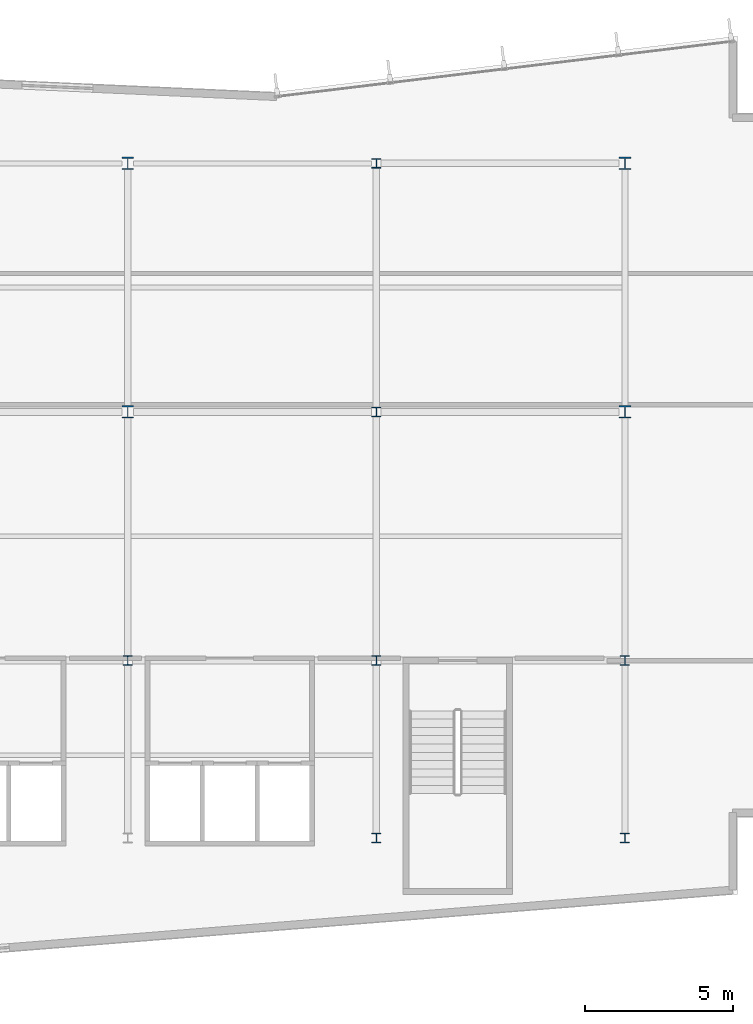
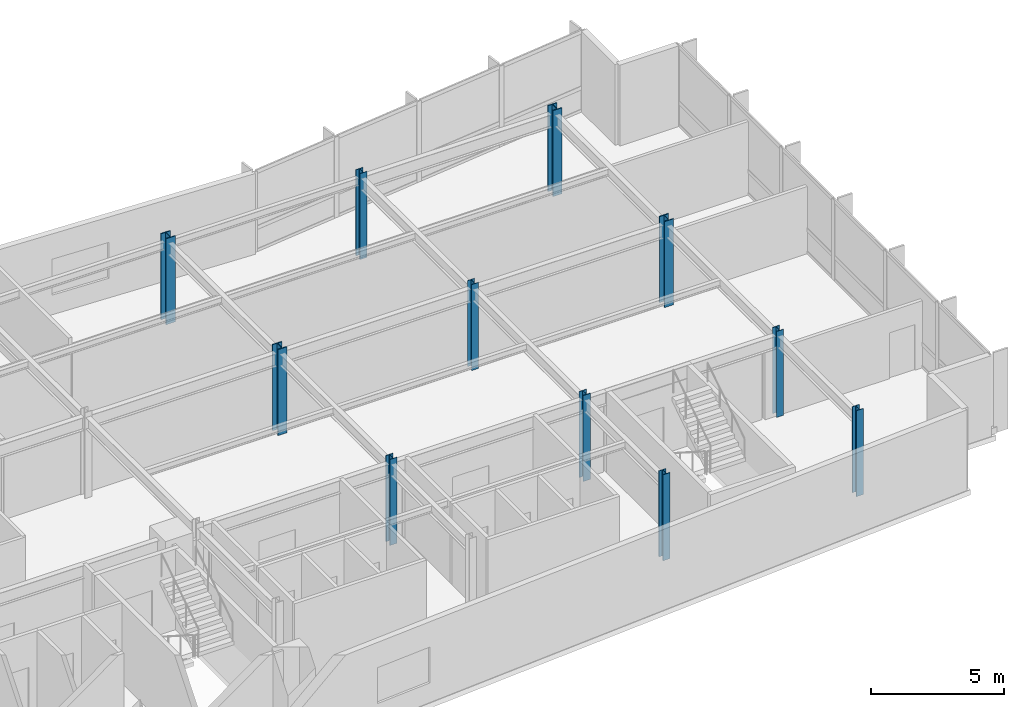
# One storey, part 2 of 17: 11 columns.
"""IFC4 building model written with IfcOpenShell, lengths in metres."""

from ifc_helpers import new_model, si_unit, direction, frame, origin, origin_2d, place, context, subcontext, project, spatial, i_section, extrude, material, material_profile, profile_set, type_object, element, save


model = new_model("IFC4")

# Units and contexts
model_context = context("Model", 3, precision=1e-05, world=origin(), true_north=direction((0.0, 1.0)))
body_context = subcontext(model_context, "Body", "Model", "MODEL_VIEW")
ifc_project = project(units=[si_unit("LENGTHUNIT", "METRE"), si_unit("AREAUNIT", "SQUARE_METRE"), si_unit("VOLUMEUNIT", "CUBIC_METRE"), si_unit("PLANEANGLEUNIT", "RADIAN"), si_unit("MASSUNIT", "GRAM", prefix="KILO")], contexts=[model_context])

# Site, building, storey
site_placement = place(None, origin())
site = spatial("IfcSite", under=ifc_project, at=site_placement, CompositionType="ELEMENT")
building_placement = place(site_placement, origin())
building = spatial("IfcBuilding", under=site, at=building_placement, Name="Varnakote Quay Hospital", CompositionType="ELEMENT")
storey_placement = place(building_placement, frame((0.0, 0.0, 103.35009765625)))
storey = spatial("IfcBuildingStorey", under=building, at=storey_placement, Name="L25", CompositionType="ELEMENT", Elevation=103.35009765625)

# Columns
ifc_material_1 = material(Name="Structural steel AS/NZS 3679.1 Grade 350 L0 (fy 340 MPa)", Category="steel")
ifc_material_profile_1 = material_profile(ifc_material_1, i_section(OverallWidth=0.30908203125, OverallDepth=0.321044921875, WebThickness=0.013916015625, FlangeThickness=0.021728515625, FilletRadius=0.0166015625, at=origin_2d()), Name="310UC137")
ifc_profile_set_1 = profile_set([ifc_material_profile_1], Name="Structural steel AS/NZS 3679.1 Grade 350 L0 (fy 340 MPa)")
column_type_1 = type_object("IfcColumnType", Name="COL-STL-310UC137", PredefinedType="COLUMN", material=ifc_profile_set_1)
for number, where, z_axis, x_axis, name in (
    (1, (42.0, 6.0, 0.0), (0.0, 0.0, 1.0), (1.0, 0.0, 0.0), "L25 Structural Column C-42-6"),
    (2, (50.39990234375, 6.0, 0.0), (0.0, 0.0, 1.0), (1.0, 0.0, 0.0), "L25 Structural Column C-50-6"),
    (3, (33.60009765625, 12.0, 0.0), (0.0, 0.0, 1.0), (1.0, 0.0, 0.0), "L25 Structural Column C-34-12"),
    (4, (42.0, 12.0, 0.0), (0.0, 0.0, 1.0), (1.0, 0.0, 0.0), "L25 Structural Column C-42-12"),
    (5, (50.39990234375, 12.0, 0.0), (0.0, 0.0, 1.0), (1.0, 0.0, 0.0), "L25 Structural Column C-50-12"),
    (6, (42.0, 20.39990234375, 0.0), (0.0, 0.0, 1.0), (1.0, 0.0, 0.0), "L25 Structural Column C-42-20"),
    (7, (42.0, 28.800048828125, 0.0), (0.0, 0.0, 1.0), (1.0, 0.0, 0.0), "L25 Structural Column C-42-29"),
):
    element("IfcColumn", number, at=place(storey_placement, frame(where, z_axis=z_axis, x_axis=x_axis)), inside=storey, type_object=column_type_1, Name=name, PredefinedType="COLUMN", context=body_context, shape_type="SweptSolid", body=[
        extrude(i_section(OverallWidth=0.30908203125, OverallDepth=0.321044921875, WebThickness=0.013916015625, FlangeThickness=0.021728515625, FilletRadius=0.0166015625, at=origin_2d()), origin(), (0.0, 0.0, 1.0), 3.949951171875),
    ])
ifc_material_2 = material(Name="Structural steel AS/NZS 3678 Grade 350 (fy 340 MPa)", Category="steel")
ifc_material_profile_2 = material_profile(ifc_material_2, i_section(OverallWidth=0.39990234375, OverallDepth=0.419921875, WebThickness=0.02490234375, FlangeThickness=0.0400390625, at=origin_2d()), Name="400WC328")
ifc_profile_set_2 = profile_set([ifc_material_profile_2], Name="Structural steel AS/NZS 3678 Grade 350 (fy 340 MPa)")
column_type_2 = type_object("IfcColumnType", Name="COL-STL-400WC328", PredefinedType="COLUMN", material=ifc_profile_set_2)
for number, where, z_axis, x_axis, name in (
    (8, (33.60009765625, 20.39990234375, 0.0), (0.0, 0.0, 1.0), (1.0, 0.0, 0.0), "L25 Structural Column C-34-20"),
    (9, (50.39990234375, 20.39990234375, 0.0), (0.0, 0.0, 1.0), (1.0, 0.0, 0.0), "L25 Structural Column C-50-20"),
    (10, (33.60009765625, 28.800048828125, 0.0), (0.0, 0.0, 1.0), (1.0, 0.0, 0.0), "L25 Structural Column C-34-29"),
    (11, (50.39990234375, 28.800048828125, 0.0), (0.0, 0.0, 1.0), (1.0, 0.0, 0.0), "L25 Structural Column C-50-29"),
):
    element("IfcColumn", number, at=place(storey_placement, frame(where, z_axis=z_axis, x_axis=x_axis)), inside=storey, type_object=column_type_2, Name=name, PredefinedType="COLUMN", context=body_context, shape_type="SweptSolid", body=[
        extrude(i_section(OverallWidth=0.39990234375, OverallDepth=0.419921875, WebThickness=0.02490234375, FlangeThickness=0.0400390625, at=origin_2d()), origin(), (0.0, 0.0, 1.0), 3.949951171875),
    ])

save(model, "model.ifc")
